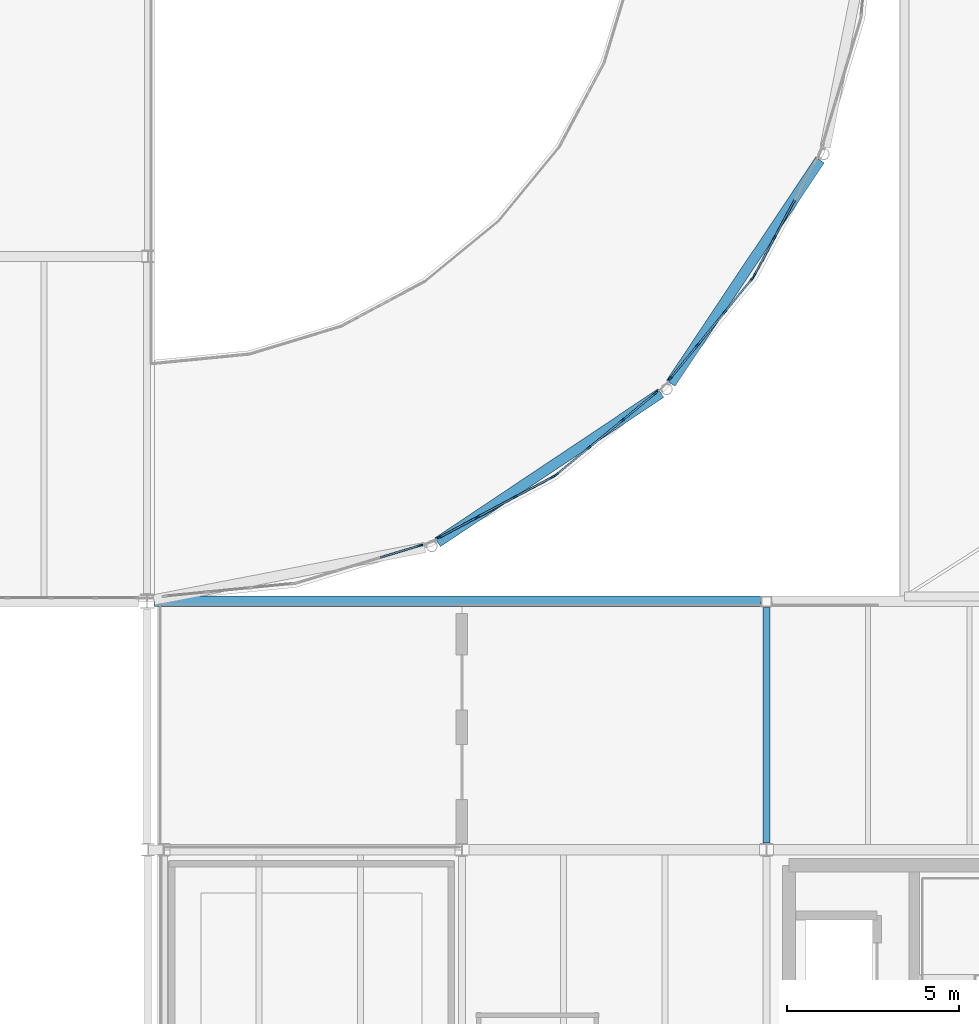
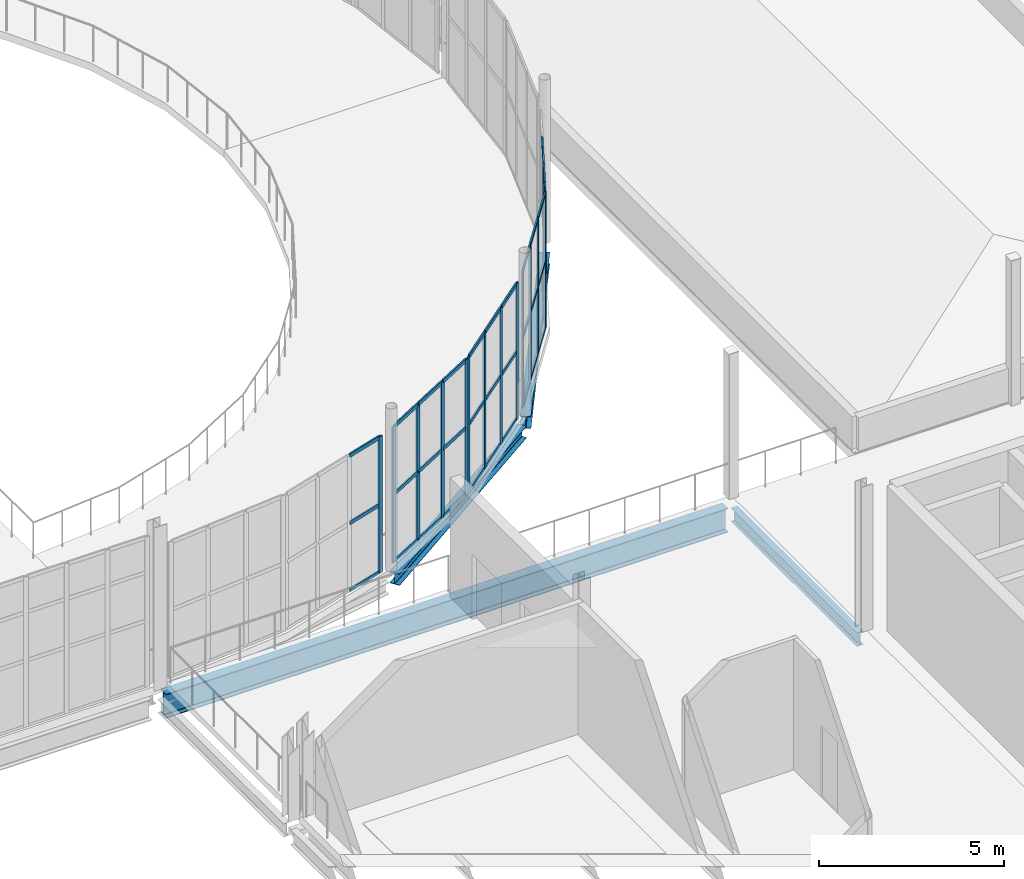
# One storey, part 62 of 112: 51 members, 4 beams, 5 elements without a shape of their own.
"""IFC4 building model written with IfcOpenShell, lengths in metres."""

from ifc_helpers import new_model, si_unit, direction, frame, origin, origin_2d, place, context, subcontext, project, spatial, rectangle, i_section, extrude, material, layer, layer_set, material_profile, profile_set, type_object, element, aggregate, save


model = new_model("IFC4")

# Units and contexts
model_context = context("Model", 3, precision=1e-05, world=origin(), true_north=direction((0.0, 1.0)))
body_context = subcontext(model_context, "Body", "Model", "MODEL_VIEW")
ifc_project = project(units=[si_unit("LENGTHUNIT", "METRE"), si_unit("AREAUNIT", "SQUARE_METRE"), si_unit("VOLUMEUNIT", "CUBIC_METRE"), si_unit("PLANEANGLEUNIT", "RADIAN"), si_unit("MASSUNIT", "GRAM", prefix="KILO")], contexts=[model_context])

# Site, building, storey
site_placement = place(None, origin())
site = spatial("IfcSite", under=ifc_project, at=site_placement, CompositionType="ELEMENT")
building_placement = place(site_placement, origin())
building = spatial("IfcBuilding", under=site, at=building_placement, Name="Yeouljin Market Hall", CompositionType="ELEMENT")
storey_placement = place(building_placement, frame((0.0, 0.0, 6.0)))
storey = spatial("IfcBuildingStorey", under=building, at=storey_placement, Name="L01", CompositionType="ELEMENT", Elevation=6.0)

# Beams
ifc_material_1 = material(Name="Steel SM355", Category="steel")
ifc_material_profile_1 = material_profile(ifc_material_1, i_section(OverallWidth=0.300048828125, OverallDepth=0.389892578125, WebThickness=0.010009765625, FlangeThickness=0.01611328125, FilletRadius=0.01806640625, at=origin_2d()), Name="H-390x300x10x16")
ifc_profile_set_1 = profile_set([ifc_material_profile_1], Name="Steel SM355")
beam_type_1 = type_object("IfcBeamType", Name="Beam_H-390x300x10x16", PredefinedType="BEAM", material=ifc_profile_set_1)
for number, where, z_axis, x_axis, name in (
    (1, (149.205322265625, 37.71142578125, -0.43994140625), (0.831466218431, 0.555575312274, 0.0), (-0.555575312274, 0.831466218431, 0.0), "Apse ring beam L01 251"),
    (2, (155.962158203125, 42.31982421875, -0.43994140625), (0.555575312274, 0.831466218431, 0.0), (-0.831466218431, 0.555575312274, 0.0), "Apse ring beam L01 252"),
):
    element("IfcBeam", number, at=place(storey_placement, frame(where, z_axis=z_axis, x_axis=x_axis)), inside=storey, type_object=beam_type_1, Name=name, PredefinedType="BEAM", context=body_context, shape_type="SweptSolid", body=[
        extrude(i_section(OverallWidth=0.300048828125, OverallDepth=0.389892578125, WebThickness=0.010009765625, FlangeThickness=0.01611328125, FilletRadius=0.01806640625, at=origin_2d()), origin(), (0.0, 0.0, 1.0), 7.787353515625),
    ])
ifc_material_2 = material(Name="Steel SM355", Category="steel")
ifc_material_profile_2 = material_profile(ifc_material_2, i_section(OverallWidth=0.199951171875, OverallDepth=0.449951171875, WebThickness=0.009033203125, FlangeThickness=0.013916015625, FilletRadius=0.01806640625, at=origin_2d()), Name="H-450x200x9x14")
ifc_profile_set_2 = profile_set([ifc_material_profile_2], Name="Steel SM355")
beam_type_2 = type_object("IfcBeamType", Name="Beam_H-450x200x9x14", PredefinedType="BEAM", material=ifc_profile_set_2)
beam_1_placement = place(storey_placement, frame((158.739990234375, 29.0, -0.489990234375), z_axis=(0.0, 1.0, 0.0), x_axis=(-1.0, 0.0, 0.0)))
element("IfcBeam", 3, at=beam_1_placement, inside=storey, type_object=beam_type_2, Name="Primary beam BM-L01-Y224", PredefinedType="BEAM", context=body_context, shape_type="SweptSolid", body=[
    extrude(i_section(OverallWidth=0.199951171875, OverallDepth=0.449951171875, WebThickness=0.009033203125, FlangeThickness=0.013916015625, FilletRadius=0.01806640625, at=origin_2d()), origin(), (0.0, 0.0, 1.0), 6.824951171875),
])

# Curtain wall, member
ifc_material_3 = material(Name="Thermally Broken Aluminium", Category="aluminium")
ifc_layer = layer(ifc_material_3, 0.179931640625)
ifc_layer_set = layer_set([ifc_layer], Name="Thermally Broken Aluminium")
curtain_wall_type = type_object("IfcCurtainWallType", Name="CW_ApseCurved_System", PredefinedType="USERDEFINED", material=ifc_layer_set)
curtain_wall_1_placement = place(storey_placement, origin())
curtain_wall_1 = element("IfcCurtainWall", 4, at=curtain_wall_1_placement, inside=storey, type_object=curtain_wall_type, Name="Curtain wall CW-AP-EL01-02", ObjectType="CURTAIN WALL", PredefinedType="USERDEFINED")
ifc_material_4 = material(Name="Thermally Broken Aluminium", Category="aluminium")
ifc_material_profile_3 = material_profile(ifc_material_4, rectangle(XDim=0.048095703125, YDim=0.14990234375, at=origin_2d()), Name="CW-MULL-48x150")
ifc_profile_set_3 = profile_set([ifc_material_profile_3], Name="Thermally Broken Aluminium")
member_type_1 = type_object("IfcMemberType", Name="CWMullion_48x150", PredefinedType="MULLION", material=ifc_profile_set_3)
member_1_placement = place(storey_placement, frame((148.699462890625, 37.62109375, 0.0), z_axis=(0.0, 0.0, 1.0), x_axis=(0.290286164863, -0.95693988447, 0.0)))
member_1 = element("IfcMember", 5, at=member_1_placement, type_object=member_type_1, Name="CW-03 mullion 1", PredefinedType="MULLION", context=body_context, shape_type="SweptSolid", body=[
    extrude(rectangle(XDim=0.048095703125, YDim=0.14990234375, at=origin_2d()), origin(), (0.0, 0.0, 1.0), 4.5),
])

# Curtain wall, members
curtain_wall_2_placement = place(storey_placement, origin())
curtain_wall_2 = element("IfcCurtainWall", 6, at=curtain_wall_2_placement, inside=storey, type_object=curtain_wall_type, Name="Curtain wall CW-AP-EL01-03", ObjectType="CURTAIN WALL", PredefinedType="USERDEFINED")
member_2_placement = place(storey_placement, frame((152.5439453125, 39.608642578125, 0.0), z_axis=(0.0, 0.0, 1.0), x_axis=(0.471377626598, -0.881931478712, 0.0)))
member_2 = element("IfcMember", 7, at=member_2_placement, type_object=member_type_1, Name="CW-03 mullion 1", PredefinedType="MULLION", context=body_context, shape_type="SweptSolid", body=[
    extrude(rectangle(XDim=0.048095703125, YDim=0.14990234375, at=origin_2d()), origin(), (0.0, 0.0, 1.0), 4.5),
])
member_3_placement = place(storey_placement, frame((151.455810546875, 39.027099609375, 0.0), z_axis=(0.0, 0.0, 1.0), x_axis=(0.471377626598, -0.881931478712, 0.0)))
member_3 = element("IfcMember", 8, at=member_3_placement, type_object=member_type_1, Name="CW-03 mullion 2", PredefinedType="MULLION", context=body_context, shape_type="SweptSolid", body=[
    extrude(rectangle(XDim=0.048095703125, YDim=0.14990234375, at=origin_2d()), origin(), (0.0, 0.0, 1.0), 4.5),
])
member_4_placement = place(storey_placement, frame((150.346435546875, 38.434326171875, 0.0), z_axis=(0.0, 0.0, 1.0), x_axis=(0.471377626598, -0.881931478712, 0.0)))
member_4 = element("IfcMember", 9, at=member_4_placement, type_object=member_type_1, Name="CW-03 mullion 3", PredefinedType="MULLION", context=body_context, shape_type="SweptSolid", body=[
    extrude(rectangle(XDim=0.048095703125, YDim=0.14990234375, at=origin_2d()), origin(), (0.0, 0.0, 1.0), 4.5),
])
member_5_placement = place(storey_placement, frame((149.258544921875, 37.852783203125, 0.0), z_axis=(0.0, 0.0, 1.0), x_axis=(0.471377626598, -0.881931478712, 0.0)))
member_5 = element("IfcMember", 10, at=member_5_placement, type_object=member_type_1, Name="CW-03 mullion 4", PredefinedType="MULLION", context=body_context, shape_type="SweptSolid", body=[
    extrude(rectangle(XDim=0.048095703125, YDim=0.14990234375, at=origin_2d()), origin(), (0.0, 0.0, 1.0), 4.5),
])

curtain_wall_3_placement = place(storey_placement, origin())
curtain_wall_3 = element("IfcCurtainWall", 11, at=curtain_wall_3_placement, inside=storey, type_object=curtain_wall_type, Name="Curtain wall CW-AP-EL01-04", ObjectType="CURTAIN WALL", PredefinedType="USERDEFINED")
member_6_placement = place(storey_placement, frame((155.529541015625, 42.042724609375, 0.0), z_axis=(0.0, 0.0, 1.0), x_axis=(0.634384432096, -0.773017717982, 0.0)))
member_6 = element("IfcMember", 12, at=member_6_placement, type_object=member_type_1, Name="CW-03 mullion 1", PredefinedType="MULLION", context=body_context, shape_type="SweptSolid", body=[
    extrude(rectangle(XDim=0.048095703125, YDim=0.14990234375, at=origin_2d()), origin(), (0.0, 0.0, 1.0), 4.5),
])
member_7_placement = place(storey_placement, frame((154.57568359375, 41.260009765625, 0.0), z_axis=(0.0, 0.0, 1.0), x_axis=(0.634384432096, -0.773017717982, 0.0)))
member_7 = element("IfcMember", 13, at=member_7_placement, type_object=member_type_1, Name="CW-03 mullion 2", PredefinedType="MULLION", context=body_context, shape_type="SweptSolid", body=[
    extrude(rectangle(XDim=0.048095703125, YDim=0.14990234375, at=origin_2d()), origin(), (0.0, 0.0, 1.0), 4.5),
])
member_8_placement = place(storey_placement, frame((153.603515625, 40.462158203125, 0.0), z_axis=(0.0, 0.0, 1.0), x_axis=(0.634384432096, -0.773017717982, 0.0)))
member_8 = element("IfcMember", 14, at=member_8_placement, type_object=member_type_1, Name="CW-03 mullion 3", PredefinedType="MULLION", context=body_context, shape_type="SweptSolid", body=[
    extrude(rectangle(XDim=0.048095703125, YDim=0.14990234375, at=origin_2d()), origin(), (0.0, 0.0, 1.0), 4.5),
])
member_9_placement = place(storey_placement, frame((152.649658203125, 39.679443359375, 0.0), z_axis=(0.0, 0.0, 1.0), x_axis=(0.634384432096, -0.773017717982, 0.0)))
member_9 = element("IfcMember", 15, at=member_9_placement, type_object=member_type_1, Name="CW-03 mullion 4", PredefinedType="MULLION", context=body_context, shape_type="SweptSolid", body=[
    extrude(rectangle(XDim=0.048095703125, YDim=0.14990234375, at=origin_2d()), origin(), (0.0, 0.0, 1.0), 4.5),
])

curtain_wall_4_placement = place(storey_placement, origin())
curtain_wall_4 = element("IfcCurtainWall", 16, at=curtain_wall_4_placement, inside=storey, type_object=curtain_wall_type, Name="Curtain wall CW-AP-EL01-05", ObjectType="CURTAIN WALL", PredefinedType="USERDEFINED")
member_10_placement = place(storey_placement, frame((158.320556640625, 45.350341796875, 0.0), z_axis=(0.0, 0.0, 1.0), x_axis=(0.773017717982, -0.634384432096, 0.0)))
member_10 = element("IfcMember", 17, at=member_10_placement, type_object=member_type_1, Name="CW-03 mullion 1", PredefinedType="MULLION", context=body_context, shape_type="SweptSolid", body=[
    extrude(rectangle(XDim=0.048095703125, YDim=0.14990234375, at=origin_2d()), origin(), (0.0, 0.0, 1.0), 4.5),
])
member_11_placement = place(storey_placement, frame((157.537841796875, 44.396484375, 0.0), z_axis=(0.0, 0.0, 1.0), x_axis=(0.773017717982, -0.634384432096, 0.0)))
member_11 = element("IfcMember", 18, at=member_11_placement, type_object=member_type_1, Name="CW-03 mullion 2", PredefinedType="MULLION", context=body_context, shape_type="SweptSolid", body=[
    extrude(rectangle(XDim=0.048095703125, YDim=0.14990234375, at=origin_2d()), origin(), (0.0, 0.0, 1.0), 4.5),
])
member_12_placement = place(storey_placement, frame((156.739990234375, 43.42431640625, 0.0), z_axis=(0.0, 0.0, 1.0), x_axis=(0.773017717982, -0.634384432096, 0.0)))
member_12 = element("IfcMember", 19, at=member_12_placement, type_object=member_type_1, Name="CW-03 mullion 3", PredefinedType="MULLION", context=body_context, shape_type="SweptSolid", body=[
    extrude(rectangle(XDim=0.048095703125, YDim=0.14990234375, at=origin_2d()), origin(), (0.0, 0.0, 1.0), 4.5),
])
member_13_placement = place(storey_placement, frame((155.957275390625, 42.470458984375, 0.0), z_axis=(0.0, 0.0, 1.0), x_axis=(0.773017717982, -0.634384432096, 0.0)))
member_13 = element("IfcMember", 20, at=member_13_placement, type_object=member_type_1, Name="CW-03 mullion 4", PredefinedType="MULLION", context=body_context, shape_type="SweptSolid", body=[
    extrude(rectangle(XDim=0.048095703125, YDim=0.14990234375, at=origin_2d()), origin(), (0.0, 0.0, 1.0), 4.5),
])

curtain_wall_5_placement = place(storey_placement, origin())
curtain_wall_5 = element("IfcCurtainWall", 21, at=curtain_wall_5_placement, inside=storey, type_object=curtain_wall_type, Name="Curtain wall CW-AP-EL01-06", ObjectType="CURTAIN WALL", PredefinedType="USERDEFINED")
member_14_placement = place(storey_placement, frame((158.972900390625, 46.544189453125, 0.0), z_axis=(0.0, 0.0, 1.0), x_axis=(0.881931478712, -0.471377626598, 0.0)))
member_14 = element("IfcMember", 22, at=member_14_placement, type_object=member_type_1, Name="CW-03 mullion 3", PredefinedType="MULLION", context=body_context, shape_type="SweptSolid", body=[
    extrude(rectangle(XDim=0.048095703125, YDim=0.14990234375, at=origin_2d()), origin(), (0.0, 0.0, 1.0), 4.5),
])
member_15_placement = place(storey_placement, frame((158.391357421875, 45.4560546875, 0.0), z_axis=(0.0, 0.0, 1.0), x_axis=(0.881931478712, -0.471377626598, 0.0)))
member_15 = element("IfcMember", 23, at=member_15_placement, type_object=member_type_1, Name="CW-03 mullion 4", PredefinedType="MULLION", context=body_context, shape_type="SweptSolid", body=[
    extrude(rectangle(XDim=0.048095703125, YDim=0.14990234375, at=origin_2d()), origin(), (0.0, 0.0, 1.0), 4.5),
])

# Member
ifc_material_5 = material(Name="Thermally Broken Aluminium", Category="aluminium")
ifc_material_profile_4 = material_profile(ifc_material_5, rectangle(XDim=0.048095703125, YDim=0.1201171875, at=origin_2d()), Name="CW-TRAN-48x120")
ifc_profile_set_4 = profile_set([ifc_material_profile_4], Name="Thermally Broken Aluminium")
member_type_2 = type_object("IfcMemberType", Name="CWTransom_48x120", PredefinedType="USERDEFINED", material=ifc_profile_set_4)
member_16_placement = place(storey_placement, frame((148.676513671875, 37.6142578125, 0.02392578125), z_axis=(-0.95692042936, -0.290350291671, 0.0), x_axis=(0.290350291671, -0.95692042936, 0.0)))
member_16 = element("IfcMember", 24, at=member_16_placement, type_object=member_type_2, Name="CW-03 transom 1.1", ObjectType="TRANSOM", PredefinedType="USERDEFINED", context=body_context, shape_type="SweptSolid", body=[
    extrude(rectangle(XDim=0.048095703125, YDim=0.1201171875, at=origin_2d()), origin(), (0.0, 0.0, 1.0), 1.185546875),
])

member_17_placement = place(storey_placement, frame((148.676513671875, 37.6142578125, 2.25), z_axis=(-0.95692042936, -0.290350291671, 0.0), x_axis=(0.290350291671, -0.95692042936, 0.0)))
member_17 = element("IfcMember", 25, at=member_17_placement, type_object=member_type_2, Name="CW-03 transom 1.2", ObjectType="TRANSOM", PredefinedType="USERDEFINED", context=body_context, shape_type="SweptSolid", body=[
    extrude(rectangle(XDim=0.048095703125, YDim=0.1201171875, at=origin_2d()), origin(), (0.0, 0.0, 1.0), 1.185546875),
])

member_18_placement = place(storey_placement, frame((148.676513671875, 37.6142578125, 4.47607421875), z_axis=(-0.95692042936, -0.290350291671, 0.0), x_axis=(0.290350291671, -0.95692042936, 0.0)))
member_18 = element("IfcMember", 26, at=member_18_placement, type_object=member_type_2, Name="CW-03 transom 1.3", ObjectType="TRANSOM", PredefinedType="USERDEFINED", context=body_context, shape_type="SweptSolid", body=[
    extrude(rectangle(XDim=0.048095703125, YDim=0.1201171875, at=origin_2d()), origin(), (0.0, 0.0, 1.0), 1.185546875),
])

aggregate(curtain_wall_1, [member_1, member_16, member_17, member_18])

member_19_placement = place(storey_placement, frame((152.522705078125, 39.597412109375, 0.02392578125), z_axis=(-0.881862296401, -0.471507041503, 0.0), x_axis=(0.471507041503, -0.881862296401, 0.0)))
member_19 = element("IfcMember", 27, at=member_19_placement, type_object=member_type_2, Name="CW-03 transom 1.1", ObjectType="TRANSOM", PredefinedType="USERDEFINED", context=body_context, shape_type="SweptSolid", body=[
    extrude(rectangle(XDim=0.048095703125, YDim=0.1201171875, at=origin_2d()), origin(), (0.0, 0.0, 1.0), 1.185791015625),
])

member_20_placement = place(storey_placement, frame((152.522705078125, 39.597412109375, 2.25), z_axis=(-0.881862296401, -0.471507041503, 0.0), x_axis=(0.471507041503, -0.881862296401, 0.0)))
member_20 = element("IfcMember", 28, at=member_20_placement, type_object=member_type_2, Name="CW-03 transom 1.2", ObjectType="TRANSOM", PredefinedType="USERDEFINED", context=body_context, shape_type="SweptSolid", body=[
    extrude(rectangle(XDim=0.048095703125, YDim=0.1201171875, at=origin_2d()), origin(), (0.0, 0.0, 1.0), 1.185791015625),
])

member_21_placement = place(storey_placement, frame((152.522705078125, 39.597412109375, 4.47607421875), z_axis=(-0.881862296401, -0.471507041503, 0.0), x_axis=(0.471507041503, -0.881862296401, 0.0)))
member_21 = element("IfcMember", 29, at=member_21_placement, type_object=member_type_2, Name="CW-03 transom 1.3", ObjectType="TRANSOM", PredefinedType="USERDEFINED", context=body_context, shape_type="SweptSolid", body=[
    extrude(rectangle(XDim=0.048095703125, YDim=0.1201171875, at=origin_2d()), origin(), (0.0, 0.0, 1.0), 1.185791015625),
])

member_22_placement = place(storey_placement, frame((151.4345703125, 39.015869140625, 0.02392578125), z_axis=(-0.881905630458, -0.471425984611, 0.0), x_axis=(0.471425984611, -0.881905630458, 0.0)))
member_22 = element("IfcMember", 30, at=member_22_placement, type_object=member_type_2, Name="CW-03 transom 2.1", ObjectType="TRANSOM", PredefinedType="USERDEFINED", context=body_context, shape_type="SweptSolid", body=[
    extrude(rectangle(XDim=0.048095703125, YDim=0.1201171875, at=origin_2d()), origin(), (0.0, 0.0, 1.0), 1.209716796875),
])

member_23_placement = place(storey_placement, frame((151.4345703125, 39.015869140625, 2.25), z_axis=(-0.881905630458, -0.471425984611, 0.0), x_axis=(0.471425984611, -0.881905630458, 0.0)))
member_23 = element("IfcMember", 31, at=member_23_placement, type_object=member_type_2, Name="CW-03 transom 2.2", ObjectType="TRANSOM", PredefinedType="USERDEFINED", context=body_context, shape_type="SweptSolid", body=[
    extrude(rectangle(XDim=0.048095703125, YDim=0.1201171875, at=origin_2d()), origin(), (0.0, 0.0, 1.0), 1.209716796875),
])

member_24_placement = place(storey_placement, frame((151.4345703125, 39.015869140625, 4.47607421875), z_axis=(-0.881905630458, -0.471425984611, 0.0), x_axis=(0.471425984611, -0.881905630458, 0.0)))
member_24 = element("IfcMember", 32, at=member_24_placement, type_object=member_type_2, Name="CW-03 transom 2.3", ObjectType="TRANSOM", PredefinedType="USERDEFINED", context=body_context, shape_type="SweptSolid", body=[
    extrude(rectangle(XDim=0.048095703125, YDim=0.1201171875, at=origin_2d()), origin(), (0.0, 0.0, 1.0), 1.209716796875),
])

member_25_placement = place(storey_placement, frame((150.325439453125, 38.4228515625, 0.02392578125), z_axis=(-0.881993639521, -0.471261307391, 0.0), x_axis=(0.471261307391, -0.881993639521, 0.0)))
member_25 = element("IfcMember", 33, at=member_25_placement, type_object=member_type_2, Name="CW-03 transom 3.1", ObjectType="TRANSOM", PredefinedType="USERDEFINED", context=body_context, shape_type="SweptSolid", body=[
    extrude(rectangle(XDim=0.048095703125, YDim=0.1201171875, at=origin_2d()), origin(), (0.0, 0.0, 1.0), 1.185791015625),
])

member_26_placement = place(storey_placement, frame((150.325439453125, 38.4228515625, 2.25), z_axis=(-0.881993639521, -0.471261307391, 0.0), x_axis=(0.471261307391, -0.881993639521, 0.0)))
member_26 = element("IfcMember", 34, at=member_26_placement, type_object=member_type_2, Name="CW-03 transom 3.2", ObjectType="TRANSOM", PredefinedType="USERDEFINED", context=body_context, shape_type="SweptSolid", body=[
    extrude(rectangle(XDim=0.048095703125, YDim=0.1201171875, at=origin_2d()), origin(), (0.0, 0.0, 1.0), 1.185791015625),
])

member_27_placement = place(storey_placement, frame((150.325439453125, 38.4228515625, 4.47607421875), z_axis=(-0.881993639521, -0.471261307391, 0.0), x_axis=(0.471261307391, -0.881993639521, 0.0)))
member_27 = element("IfcMember", 35, at=member_27_placement, type_object=member_type_2, Name="CW-03 transom 3.3", ObjectType="TRANSOM", PredefinedType="USERDEFINED", context=body_context, shape_type="SweptSolid", body=[
    extrude(rectangle(XDim=0.048095703125, YDim=0.1201171875, at=origin_2d()), origin(), (0.0, 0.0, 1.0), 1.185791015625),
])

aggregate(curtain_wall_2, [member_2, member_3, member_4, member_5, member_19, member_20, member_21, member_22, member_23, member_24, member_25, member_26, member_27])

member_28_placement = place(storey_placement, frame((155.510986328125, 42.027587890625, 0.02392578125), z_axis=(-0.773075959133, -0.634313456748, 0.0), x_axis=(0.634313456748, -0.773075959133, 0.0)))
member_28 = element("IfcMember", 36, at=member_28_placement, type_object=member_type_2, Name="CW-03 transom 1.1", ObjectType="TRANSOM", PredefinedType="USERDEFINED", context=body_context, shape_type="SweptSolid", body=[
    extrude(rectangle(XDim=0.048095703125, YDim=0.1201171875, at=origin_2d()), origin(), (0.0, 0.0, 1.0), 1.185791015625),
])

member_29_placement = place(storey_placement, frame((155.510986328125, 42.027587890625, 2.25), z_axis=(-0.773075959133, -0.634313456748, 0.0), x_axis=(0.634313456748, -0.773075959133, 0.0)))
member_29 = element("IfcMember", 37, at=member_29_placement, type_object=member_type_2, Name="CW-03 transom 1.2", ObjectType="TRANSOM", PredefinedType="USERDEFINED", context=body_context, shape_type="SweptSolid", body=[
    extrude(rectangle(XDim=0.048095703125, YDim=0.1201171875, at=origin_2d()), origin(), (0.0, 0.0, 1.0), 1.185791015625),
])

member_30_placement = place(storey_placement, frame((155.510986328125, 42.027587890625, 4.47607421875), z_axis=(-0.773075959133, -0.634313456748, 0.0), x_axis=(0.634313456748, -0.773075959133, 0.0)))
member_30 = element("IfcMember", 38, at=member_30_placement, type_object=member_type_2, Name="CW-03 transom 1.3", ObjectType="TRANSOM", PredefinedType="USERDEFINED", context=body_context, shape_type="SweptSolid", body=[
    extrude(rectangle(XDim=0.048095703125, YDim=0.1201171875, at=origin_2d()), origin(), (0.0, 0.0, 1.0), 1.185791015625),
])

member_31_placement = place(storey_placement, frame((154.55712890625, 41.244873046875, 0.02392578125), z_axis=(-0.773030225846, -0.634369190557, 0.0), x_axis=(0.634369190557, -0.773030225846, 0.0)))
member_31 = element("IfcMember", 39, at=member_31_placement, type_object=member_type_2, Name="CW-03 transom 2.1", ObjectType="TRANSOM", PredefinedType="USERDEFINED", context=body_context, shape_type="SweptSolid", body=[
    extrude(rectangle(XDim=0.048095703125, YDim=0.1201171875, at=origin_2d()), origin(), (0.0, 0.0, 1.0), 1.209716796875),
])

member_32_placement = place(storey_placement, frame((154.55712890625, 41.244873046875, 2.25), z_axis=(-0.773030225846, -0.634369190557, 0.0), x_axis=(0.634369190557, -0.773030225846, 0.0)))
member_32 = element("IfcMember", 40, at=member_32_placement, type_object=member_type_2, Name="CW-03 transom 2.2", ObjectType="TRANSOM", PredefinedType="USERDEFINED", context=body_context, shape_type="SweptSolid", body=[
    extrude(rectangle(XDim=0.048095703125, YDim=0.1201171875, at=origin_2d()), origin(), (0.0, 0.0, 1.0), 1.209716796875),
])

member_33_placement = place(storey_placement, frame((154.55712890625, 41.244873046875, 4.47607421875), z_axis=(-0.773030225846, -0.634369190557, 0.0), x_axis=(0.634369190557, -0.773030225846, 0.0)))
member_33 = element("IfcMember", 41, at=member_33_placement, type_object=member_type_2, Name="CW-03 transom 2.3", ObjectType="TRANSOM", PredefinedType="USERDEFINED", context=body_context, shape_type="SweptSolid", body=[
    extrude(rectangle(XDim=0.048095703125, YDim=0.1201171875, at=origin_2d()), origin(), (0.0, 0.0, 1.0), 1.209716796875),
])

member_34_placement = place(storey_placement, frame((153.5849609375, 40.447021484375, 0.02392578125), z_axis=(-0.773075959133, -0.634313456748, 0.0), x_axis=(0.634313456748, -0.773075959133, 0.0)))
member_34 = element("IfcMember", 42, at=member_34_placement, type_object=member_type_2, Name="CW-03 transom 3.1", ObjectType="TRANSOM", PredefinedType="USERDEFINED", context=body_context, shape_type="SweptSolid", body=[
    extrude(rectangle(XDim=0.048095703125, YDim=0.1201171875, at=origin_2d()), origin(), (0.0, 0.0, 1.0), 1.185791015625),
])

member_35_placement = place(storey_placement, frame((153.5849609375, 40.447021484375, 2.25), z_axis=(-0.773075959133, -0.634313456748, 0.0), x_axis=(0.634313456748, -0.773075959133, 0.0)))
member_35 = element("IfcMember", 43, at=member_35_placement, type_object=member_type_2, Name="CW-03 transom 3.2", ObjectType="TRANSOM", PredefinedType="USERDEFINED", context=body_context, shape_type="SweptSolid", body=[
    extrude(rectangle(XDim=0.048095703125, YDim=0.1201171875, at=origin_2d()), origin(), (0.0, 0.0, 1.0), 1.185791015625),
])

member_36_placement = place(storey_placement, frame((153.5849609375, 40.447021484375, 4.47607421875), z_axis=(-0.773075959133, -0.634313456748, 0.0), x_axis=(0.634313456748, -0.773075959133, 0.0)))
member_36 = element("IfcMember", 44, at=member_36_placement, type_object=member_type_2, Name="CW-03 transom 3.3", ObjectType="TRANSOM", PredefinedType="USERDEFINED", context=body_context, shape_type="SweptSolid", body=[
    extrude(rectangle(XDim=0.048095703125, YDim=0.1201171875, at=origin_2d()), origin(), (0.0, 0.0, 1.0), 1.185791015625),
])

aggregate(curtain_wall_3, [member_6, member_7, member_8, member_9, member_28, member_29, member_30, member_31, member_32, member_33, member_34, member_35, member_36])

member_37_placement = place(storey_placement, frame((158.30517578125, 45.331787109375, 0.02392578125), z_axis=(-0.634313456748, -0.773075959133, 0.0), x_axis=(0.773075959133, -0.634313456748, 0.0)))
member_37 = element("IfcMember", 45, at=member_37_placement, type_object=member_type_2, Name="CW-03 transom 1.1", ObjectType="TRANSOM", PredefinedType="USERDEFINED", context=body_context, shape_type="SweptSolid", body=[
    extrude(rectangle(XDim=0.048095703125, YDim=0.1201171875, at=origin_2d()), origin(), (0.0, 0.0, 1.0), 1.185791015625),
])

member_38_placement = place(storey_placement, frame((158.30517578125, 45.331787109375, 2.25), z_axis=(-0.634313456748, -0.773075959133, 0.0), x_axis=(0.773075959133, -0.634313456748, 0.0)))
member_38 = element("IfcMember", 46, at=member_38_placement, type_object=member_type_2, Name="CW-03 transom 1.2", ObjectType="TRANSOM", PredefinedType="USERDEFINED", context=body_context, shape_type="SweptSolid", body=[
    extrude(rectangle(XDim=0.048095703125, YDim=0.1201171875, at=origin_2d()), origin(), (0.0, 0.0, 1.0), 1.185791015625),
])

member_39_placement = place(storey_placement, frame((158.30517578125, 45.331787109375, 4.47607421875), z_axis=(-0.634313456748, -0.773075959133, 0.0), x_axis=(0.773075959133, -0.634313456748, 0.0)))
member_39 = element("IfcMember", 47, at=member_39_placement, type_object=member_type_2, Name="CW-03 transom 1.3", ObjectType="TRANSOM", PredefinedType="USERDEFINED", context=body_context, shape_type="SweptSolid", body=[
    extrude(rectangle(XDim=0.048095703125, YDim=0.1201171875, at=origin_2d()), origin(), (0.0, 0.0, 1.0), 1.185791015625),
])

member_40_placement = place(storey_placement, frame((157.5224609375, 44.3779296875, 0.02392578125), z_axis=(-0.634369190557, -0.773030225846, 0.0), x_axis=(0.773030225846, -0.634369190557, 0.0)))
member_40 = element("IfcMember", 48, at=member_40_placement, type_object=member_type_2, Name="CW-03 transom 2.1", ObjectType="TRANSOM", PredefinedType="USERDEFINED", context=body_context, shape_type="SweptSolid", body=[
    extrude(rectangle(XDim=0.048095703125, YDim=0.1201171875, at=origin_2d()), origin(), (0.0, 0.0, 1.0), 1.209716796875),
])

member_41_placement = place(storey_placement, frame((157.5224609375, 44.3779296875, 2.25), z_axis=(-0.634369190557, -0.773030225846, 0.0), x_axis=(0.773030225846, -0.634369190557, 0.0)))
member_41 = element("IfcMember", 49, at=member_41_placement, type_object=member_type_2, Name="CW-03 transom 2.2", ObjectType="TRANSOM", PredefinedType="USERDEFINED", context=body_context, shape_type="SweptSolid", body=[
    extrude(rectangle(XDim=0.048095703125, YDim=0.1201171875, at=origin_2d()), origin(), (0.0, 0.0, 1.0), 1.209716796875),
])

member_42_placement = place(storey_placement, frame((157.5224609375, 44.3779296875, 4.47607421875), z_axis=(-0.634369190557, -0.773030225846, 0.0), x_axis=(0.773030225846, -0.634369190557, 0.0)))
member_42 = element("IfcMember", 50, at=member_42_placement, type_object=member_type_2, Name="CW-03 transom 2.3", ObjectType="TRANSOM", PredefinedType="USERDEFINED", context=body_context, shape_type="SweptSolid", body=[
    extrude(rectangle(XDim=0.048095703125, YDim=0.1201171875, at=origin_2d()), origin(), (0.0, 0.0, 1.0), 1.209716796875),
])

member_43_placement = place(storey_placement, frame((156.724609375, 43.40576171875, 0.02392578125), z_axis=(-0.634313456748, -0.773075959133, 0.0), x_axis=(0.773075959133, -0.634313456748, 0.0)))
member_43 = element("IfcMember", 51, at=member_43_placement, type_object=member_type_2, Name="CW-03 transom 3.1", ObjectType="TRANSOM", PredefinedType="USERDEFINED", context=body_context, shape_type="SweptSolid", body=[
    extrude(rectangle(XDim=0.048095703125, YDim=0.1201171875, at=origin_2d()), origin(), (0.0, 0.0, 1.0), 1.185791015625),
])

member_44_placement = place(storey_placement, frame((156.724609375, 43.40576171875, 2.25), z_axis=(-0.634313456748, -0.773075959133, 0.0), x_axis=(0.773075959133, -0.634313456748, 0.0)))
member_44 = element("IfcMember", 52, at=member_44_placement, type_object=member_type_2, Name="CW-03 transom 3.2", ObjectType="TRANSOM", PredefinedType="USERDEFINED", context=body_context, shape_type="SweptSolid", body=[
    extrude(rectangle(XDim=0.048095703125, YDim=0.1201171875, at=origin_2d()), origin(), (0.0, 0.0, 1.0), 1.185791015625),
])

member_45_placement = place(storey_placement, frame((156.724609375, 43.40576171875, 4.47607421875), z_axis=(-0.634313456748, -0.773075959133, 0.0), x_axis=(0.773075959133, -0.634313456748, 0.0)))
member_45 = element("IfcMember", 53, at=member_45_placement, type_object=member_type_2, Name="CW-03 transom 3.3", ObjectType="TRANSOM", PredefinedType="USERDEFINED", context=body_context, shape_type="SweptSolid", body=[
    extrude(rectangle(XDim=0.048095703125, YDim=0.1201171875, at=origin_2d()), origin(), (0.0, 0.0, 1.0), 1.185791015625),
])

aggregate(curtain_wall_4, [member_10, member_11, member_12, member_13, member_37, member_38, member_39, member_40, member_41, member_42, member_43, member_44, member_45])

member_46_placement = place(storey_placement, frame((159.554443359375, 47.63232421875, 0.02392578125), z_axis=(-0.471425984611, -0.881905630458, 0.0), x_axis=(0.881905630458, -0.471425984611, 0.0)))
member_46 = element("IfcMember", 54, at=member_46_placement, type_object=member_type_2, Name="CW-03 transom 2.1", ObjectType="TRANSOM", PredefinedType="USERDEFINED", context=body_context, shape_type="SweptSolid", body=[
    extrude(rectangle(XDim=0.048095703125, YDim=0.1201171875, at=origin_2d()), origin(), (0.0, 0.0, 1.0), 1.209716796875),
])

member_47_placement = place(storey_placement, frame((159.554443359375, 47.63232421875, 2.25), z_axis=(-0.471425984611, -0.881905630458, 0.0), x_axis=(0.881905630458, -0.471425984611, 0.0)))
member_47 = element("IfcMember", 55, at=member_47_placement, type_object=member_type_2, Name="CW-03 transom 2.2", ObjectType="TRANSOM", PredefinedType="USERDEFINED", context=body_context, shape_type="SweptSolid", body=[
    extrude(rectangle(XDim=0.048095703125, YDim=0.1201171875, at=origin_2d()), origin(), (0.0, 0.0, 1.0), 1.209716796875),
])

member_48_placement = place(storey_placement, frame((159.554443359375, 47.63232421875, 4.47607421875), z_axis=(-0.471425984611, -0.881905630458, 0.0), x_axis=(0.881905630458, -0.471425984611, 0.0)))
member_48 = element("IfcMember", 56, at=member_48_placement, type_object=member_type_2, Name="CW-03 transom 2.3", ObjectType="TRANSOM", PredefinedType="USERDEFINED", context=body_context, shape_type="SweptSolid", body=[
    extrude(rectangle(XDim=0.048095703125, YDim=0.1201171875, at=origin_2d()), origin(), (0.0, 0.0, 1.0), 1.209716796875),
])

member_49_placement = place(storey_placement, frame((158.961669921875, 46.52294921875, 0.02392578125), z_axis=(-0.471507041503, -0.881862296401, 0.0), x_axis=(0.881862296401, -0.471507041503, 0.0)))
member_49 = element("IfcMember", 57, at=member_49_placement, type_object=member_type_2, Name="CW-03 transom 3.1", ObjectType="TRANSOM", PredefinedType="USERDEFINED", context=body_context, shape_type="SweptSolid", body=[
    extrude(rectangle(XDim=0.048095703125, YDim=0.1201171875, at=origin_2d()), origin(), (0.0, 0.0, 1.0), 1.185791015625),
])

member_50_placement = place(storey_placement, frame((158.961669921875, 46.52294921875, 2.25), z_axis=(-0.471507041503, -0.881862296401, 0.0), x_axis=(0.881862296401, -0.471507041503, 0.0)))
member_50 = element("IfcMember", 58, at=member_50_placement, type_object=member_type_2, Name="CW-03 transom 3.2", ObjectType="TRANSOM", PredefinedType="USERDEFINED", context=body_context, shape_type="SweptSolid", body=[
    extrude(rectangle(XDim=0.048095703125, YDim=0.1201171875, at=origin_2d()), origin(), (0.0, 0.0, 1.0), 1.185791015625),
])

member_51_placement = place(storey_placement, frame((158.961669921875, 46.52294921875, 4.47607421875), z_axis=(-0.471507041503, -0.881862296401, 0.0), x_axis=(0.881862296401, -0.471507041503, 0.0)))
member_51 = element("IfcMember", 59, at=member_51_placement, type_object=member_type_2, Name="CW-03 transom 3.3", ObjectType="TRANSOM", PredefinedType="USERDEFINED", context=body_context, shape_type="SweptSolid", body=[
    extrude(rectangle(XDim=0.048095703125, YDim=0.1201171875, at=origin_2d()), origin(), (0.0, 0.0, 1.0), 1.185791015625),
])

aggregate(curtain_wall_5, [member_14, member_15, member_46, member_47, member_48, member_49, member_50, member_51])

# Beam
ifc_material_6 = material(Name="Steel SM355", Category="steel")
ifc_material_profile_5 = material_profile(ifc_material_6, i_section(OverallWidth=0.300048828125, OverallDepth=0.800048828125, WebThickness=0.013916015625, FlangeThickness=0.02587890625, FilletRadius=0.028076171875, at=origin_2d()), Name="H-800x300x14x26")
ifc_profile_set_5 = profile_set([ifc_material_profile_5], Name="Steel SM355")
beam_type_3 = type_object("IfcBeamType", Name="Girder_H-800x300x14x26", PredefinedType="USERDEFINED", material=ifc_profile_set_5)
beam_2_placement = place(storey_placement, frame((140.985107421875, 36.0, -0.6650390625), z_axis=(1.0, 0.0, 0.0), x_axis=(0.0, 1.0, 0.0)))
element("IfcBeam", 60, at=beam_2_placement, inside=storey, type_object=beam_type_3, Name="Primary girder GRD-L01-X059", ObjectType="GIRDER", PredefinedType="USERDEFINED", context=body_context, shape_type="SweptSolid", body=[
    extrude(i_section(OverallWidth=0.300048828125, OverallDepth=0.800048828125, WebThickness=0.013916015625, FlangeThickness=0.02587890625, FilletRadius=0.028076171875, at=origin_2d()), origin(), (0.0, 0.0, 1.0), 17.579833984375),
])

save(model, "model.ifc")
